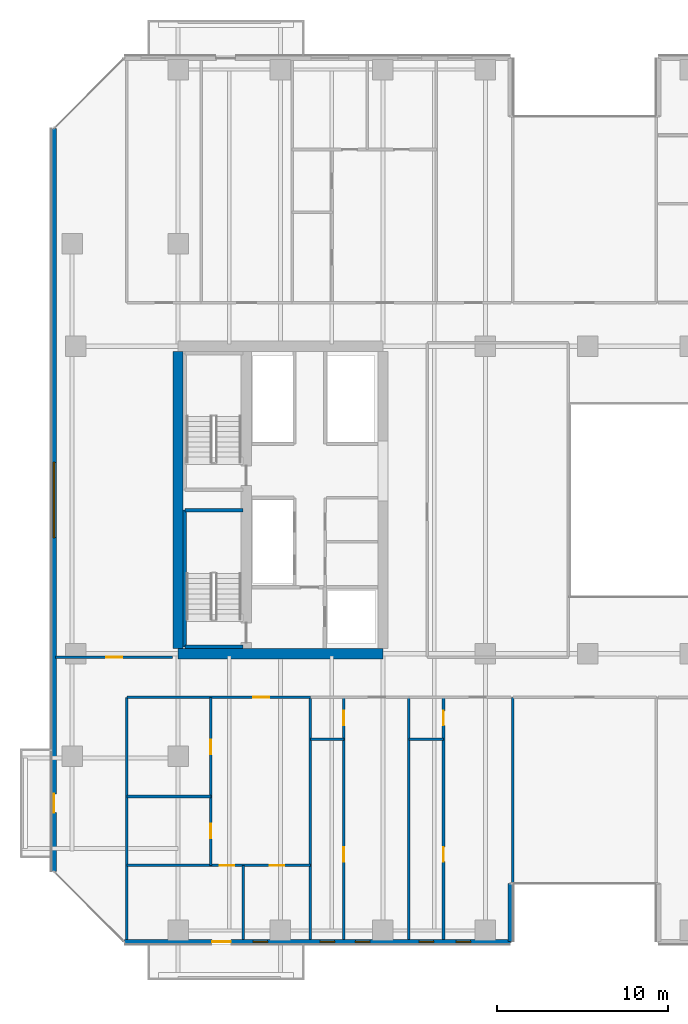
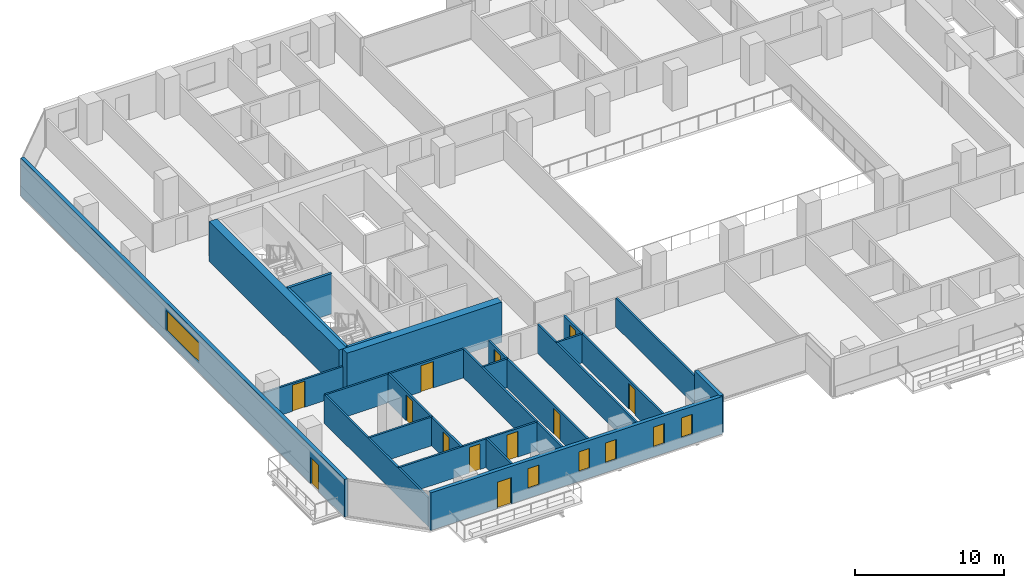
# One storey, part 17 of 33: 22 walls, 12 doors, 6 windows, 18 openings.
"""IFC4 building model written with IfcOpenShell, lengths in metres."""

from ifc_helpers import new_model, si_unit, direction, frame, frame_2d, origin, place, context, subcontext, project, spatial, rectangle, extrude, material, layer, layer_set, type_object, element, fill, save


model = new_model("IFC4")

# Units and contexts
model_context = context("Model", 3, precision=1e-05, world=origin(), true_north=direction((0.0, 1.0)))
body_context = subcontext(model_context, "Body", "Model", "MODEL_VIEW")
ifc_project = project(units=[si_unit("LENGTHUNIT", "METRE"), si_unit("AREAUNIT", "SQUARE_METRE"), si_unit("VOLUMEUNIT", "CUBIC_METRE"), si_unit("PLANEANGLEUNIT", "RADIAN"), si_unit("MASSUNIT", "GRAM", prefix="KILO")], contexts=[model_context])

# Site, building, storey
site_placement = place(None, origin())
site = spatial("IfcSite", under=ifc_project, at=site_placement, CompositionType="ELEMENT")
building_placement = place(site_placement, origin())
building = spatial("IfcBuilding", under=site, at=building_placement, Name="Tanjung Sevakor Pilgrim Tower", CompositionType="ELEMENT")
storey_placement = place(building_placement, frame((0.0, 0.0, 38.93994140625)))
storey = spatial("IfcBuildingStorey", under=building, at=storey_placement, Name="L10", CompositionType="ELEMENT", Elevation=38.93994140625)

# Walls
ifc_material_1 = material(Name="Concrete C60/75", Category="concrete")
ifc_layer_1 = layer(ifc_material_1, 0.60009765625)
ifc_layer_set_1 = layer_set([ifc_layer_1], Name="WALL-CW-600")
wall_type_1 = type_object("IfcWallType", Name="WALL-CW-600", PredefinedType="SHEAR", material=ifc_layer_set_1)
wall_1_placement = place(storey_placement, frame((24.0, 24.60009765625, 0.0), z_axis=(0.0, 0.0, 1.0), x_axis=(1.0, 0.0, 0.0)))
element("IfcWall", 1, at=wall_1_placement, inside=storey, type_object=wall_type_1, Name="L10 W Core South Shear Wall", PredefinedType="SHEAR", context=body_context, shape_type="SweptSolid", body=[
    extrude(rectangle(XDim=12.0, YDim=0.60009765625, at=frame_2d((6.0, 0.0))), origin(), (0.0, 0.0, 1.0), 3.300048828125),
])
wall_2_placement = place(storey_placement, frame((24.0, 24.89990234375, 0.0), z_axis=(0.0, 0.0, 1.0), x_axis=(0.0, 1.0, 0.0)))
element("IfcWall", 2, at=wall_2_placement, inside=storey, type_object=wall_type_1, Name="L10 W Core Outer Shear Wall", PredefinedType="SHEAR", context=body_context, shape_type="SweptSolid", body=[
    extrude(rectangle(XDim=17.400146484375, YDim=0.60009765625, at=frame_2d((8.7001953125, 0.0))), origin(), (0.0, 0.0, 1.0), 3.300048828125),
])

# Wall, opening, door
ifc_material_2 = material(Name="Concrete C40/50", Category="concrete")
ifc_layer_2 = layer(ifc_material_2, 0.14990234375)
ifc_layer_set_2 = layer_set([ifc_layer_2], Name="WT-COMP-150")
wall_type_2 = type_object("IfcWallType", Name="WT-COMP-150", PredefinedType="SOLIDWALL", material=ifc_layer_set_2)
wall_3_placement = place(storey_placement, frame((16.840087890625, 24.39990234375, 0.0), z_axis=(0.0, 0.0, 1.0), x_axis=(1.0, 0.0, 0.0)))
wall_3 = element("IfcWall", 3, at=wall_3_placement, inside=storey, type_object=wall_type_2, Name="L10 Partition IW-L10-031", PredefinedType="SOLIDWALL", context=body_context, shape_type="SweptSolid", body=[
    extrude(rectangle(XDim=6.83984375, YDim=0.14990234375, at=frame_2d((3.419921875, 0.0))), origin(), (0.0, 0.0, 1.0), 2.295166015625),
])
opening_1_placement = place(wall_3_placement, frame((2.945068359375, 0.0, 0.0)))
opening_1 = element("IfcOpeningElement", 4, at=opening_1_placement, cuts=wall_3, Name="Opening ID-FD2", PredefinedType="OPENING", context=body_context, shape_type="SweptSolid", body=[
    extrude(rectangle(XDim=0.949951171875, YDim=2.14990234375, at=frame_2d((0.47509765625, 1.074951171875))), frame((0.0, 0.0849609375, 0.0), z_axis=(0.0, -1.0, 0.0), x_axis=(1.0, 0.0, 0.0)), (0.0, 0.0, 1.0), 0.169921875),
])
ifc_material_3 = material(Name="Fire-Rated Timber", Category="wood")
door_type_1 = type_object("IfcDoorType", Name="DT-FIRE-950", OperationType="NOTDEFINED", PredefinedType="DOOR", material=ifc_material_3)
door_1_placement = place(opening_1_placement, origin())
door_1 = element("IfcDoor", 5, at=door_1_placement, inside=storey, type_object=door_type_1, Name="Study Room Entrance", OperationType="SINGLE_SWING_LEFT", OverallHeight=2.14990234375, OverallWidth=0.949951171875, PredefinedType="DOOR", context=body_context, shape_type="SweptSolid", body=[
    extrude(rectangle(XDim=0.949951171875, YDim=2.14990234375, at=frame_2d((0.47509765625, 1.074951171875))), frame((0.0, 0.02490234375, 0.0), z_axis=(0.0, -1.0, 0.0), x_axis=(1.0, 0.0, 0.0)), (0.0, 0.0, 1.0), 0.050048828125),
])
fill(opening_1, door_1)

# Walls
for number, where, z_axis, x_axis, name in (
    (6, (43.60009765625, 7.8798828125, 0.0), (0.0, 0.0, 1.0), (0.0, 1.0, 0.0), "L10 Partition IW-L10-039"),
    (7, (21.0, 7.8798828125, 0.0), (0.0, 0.0, 1.0), (0.0, 1.0, 0.0), "L10 Partition IW-L10-044"),
    (8, (31.751220703125, 7.8798828125, 0.0), (0.0, 0.0, 1.0), (0.0, 1.0, 0.0), "L10 Partition IW-L10-045"),
):
    element("IfcWall", number, at=place(storey_placement, frame(where, z_axis=z_axis, x_axis=x_axis)), inside=storey, type_object=wall_type_2, Name=name, PredefinedType="SOLIDWALL", context=body_context, shape_type="SweptSolid", body=[
        extrude(rectangle(XDim=14.170166015625, YDim=0.14990234375, at=frame_2d((7.0849609375, 0.0))), origin(), (0.0, 0.0, 1.0), 2.35009765625),
    ])

# Wall, opening, door
wall_4_placement = place(storey_placement, frame((21.0, 22.050048828125, 0.0), z_axis=(0.0, 0.0, 1.0), x_axis=(1.0, 0.0, 0.0)))
wall_4 = element("IfcWall", 9, at=wall_4_placement, inside=storey, type_object=wall_type_2, Name="L10 Partition IW-L10-050", PredefinedType="SOLIDWALL", context=body_context, shape_type="SweptSolid", body=[
    extrude(rectangle(XDim=10.751220703125, YDim=0.14990234375, at=frame_2d((5.37548828125, 0.0))), origin(), (0.0, 0.0, 1.0), 2.35009765625),
])
opening_2_placement = place(wall_4_placement, frame((7.400634765625, 0.0, 0.0)))
opening_2 = element("IfcOpeningElement", 10, at=opening_2_placement, cuts=wall_4, Name="Opening ID-FD2", PredefinedType="OPENING", context=body_context, shape_type="SweptSolid", body=[
    extrude(rectangle(XDim=0.949951171875, YDim=2.14990234375, at=frame_2d((0.47509765625, 1.074951171875))), frame((0.0, 0.0849609375, 0.0), z_axis=(0.0, -1.0, 0.0), x_axis=(1.0, 0.0, 0.0)), (0.0, 0.0, 1.0), 0.169921875),
])
door_2_placement = place(opening_2_placement, origin())
door_2 = element("IfcDoor", 11, at=door_2_placement, inside=storey, type_object=door_type_1, Name="Suite Entrance", OperationType="SINGLE_SWING_RIGHT", OverallHeight=2.14990234375, OverallWidth=0.949951171875, PredefinedType="DOOR", context=body_context, shape_type="SweptSolid", body=[
    extrude(rectangle(XDim=0.949951171875, YDim=2.14990234375, at=frame_2d((0.47509765625, 1.074951171875))), frame((0.0, 0.02490234375, 0.0), z_axis=(0.0, -1.0, 0.0), x_axis=(1.0, 0.0, 0.0)), (0.0, 0.0, 1.0), 0.050048828125),
])
fill(opening_2, door_2)

# Wall
wall_5_placement = place(storey_placement, frame((37.5126953125, 7.8798828125, 0.0), z_axis=(0.0, 0.0, 1.0), x_axis=(0.0, 1.0, 0.0)))
element("IfcWall", 12, at=wall_5_placement, inside=storey, type_object=wall_type_2, Name="L10 Partition IW-L10-051", PredefinedType="SOLIDWALL", context=body_context, shape_type="SweptSolid", body=[
    extrude(rectangle(XDim=14.170166015625, YDim=0.14990234375, at=frame_2d((7.0849609375, 0.0))), origin(), (0.0, 0.0, 1.0), 2.35009765625),
])

# Wall, openings, door, windows
ifc_material_4 = material(Name="Precast concrete C45/55", Category="concrete")
ifc_layer_3 = layer(ifc_material_4, 0.280029296875)
ifc_layer_set_3 = layer_set([ifc_layer_3], Name="WT-EW-STN2")
wall_type_3 = type_object("IfcWallType", Name="WT-EW-STN2", PredefinedType="SOLIDWALL", material=ifc_layer_set_3)
wall_6_placement = place(storey_placement, frame((20.85791015625, 7.739990234375, 0.0), z_axis=(0.0, 0.0, 1.0), x_axis=(1.0, 0.0, 0.0)))
wall_6 = element("IfcWall", 13, at=wall_6_placement, inside=storey, type_object=wall_type_3, Name="L10 MAIN Exterior Wall 1", PredefinedType="SOLIDWALL", context=body_context, shape_type="SweptSolid", body=[
    extrude(rectangle(XDim=22.60205078125, YDim=0.280029296875, at=frame_2d((11.301025390625, 0.0))), origin(), (0.0, 0.0, 1.0), 3.080078125),
])
opening_3_placement = place(wall_6_placement, frame((5.14208984375, 0.0, 0.0)))
opening_3 = element("IfcOpeningElement", 14, at=opening_3_placement, cuts=wall_6, Name="Opening ED-BAL-1100", PredefinedType="OPENING", context=body_context, shape_type="SweptSolid", body=[
    extrude(rectangle(XDim=1.10009765625, YDim=2.14990234375, at=frame_2d((0.550048828125, 1.074951171875))), frame((0.0, 0.14990234375, 0.0), z_axis=(0.0, -1.0, 0.0), x_axis=(1.0, 0.0, 0.0)), (0.0, 0.0, 1.0), 0.300048828125),
])
opening_4_placement = place(wall_6_placement, frame((7.53271484375, 0.0, 0.780029296875)))
opening_4 = element("IfcOpeningElement", 15, at=opening_4_placement, cuts=wall_6, Name="Opening WN-SLM", PredefinedType="OPENING", context=body_context, shape_type="SweptSolid", body=[
    extrude(rectangle(XDim=0.85009765625, YDim=1.64990234375, at=frame_2d((0.425048828125, 0.824951171875))), frame((0.0, 0.14990234375, 0.0), z_axis=(0.0, -1.0, 0.0), x_axis=(1.0, 0.0, 0.0)), (0.0, 0.0, 1.0), 0.300048828125),
])
opening_5_placement = place(wall_6_placement, frame((11.457763671875, 0.0, 0.780029296875)))
opening_5 = element("IfcOpeningElement", 16, at=opening_5_placement, cuts=wall_6, Name="Opening WN-SLM", PredefinedType="OPENING", context=body_context, shape_type="SweptSolid", body=[
    extrude(rectangle(XDim=0.85009765625, YDim=1.64990234375, at=frame_2d((0.425048828125, 0.824951171875))), frame((0.0, 0.14990234375, 0.0), z_axis=(0.0, -1.0, 0.0), x_axis=(1.0, 0.0, 0.0)), (0.0, 0.0, 1.0), 0.300048828125),
])
opening_6_placement = place(wall_6_placement, frame((13.5185546875, 0.0, 0.780029296875)))
opening_6 = element("IfcOpeningElement", 17, at=opening_6_placement, cuts=wall_6, Name="Opening WN-SLM", PredefinedType="OPENING", context=body_context, shape_type="SweptSolid", body=[
    extrude(rectangle(XDim=0.85009765625, YDim=1.64990234375, at=frame_2d((0.425048828125, 0.824951171875))), frame((0.0, 0.14990234375, 0.0), z_axis=(0.0, -1.0, 0.0), x_axis=(1.0, 0.0, 0.0)), (0.0, 0.0, 1.0), 0.300048828125),
])
opening_7_placement = place(wall_6_placement, frame((17.254150390625, 0.0, 0.780029296875)))
opening_7 = element("IfcOpeningElement", 18, at=opening_7_placement, cuts=wall_6, Name="Opening WN-SLM", PredefinedType="OPENING", context=body_context, shape_type="SweptSolid", body=[
    extrude(rectangle(XDim=0.85009765625, YDim=1.64990234375, at=frame_2d((0.425048828125, 0.824951171875))), frame((0.0, 0.14990234375, 0.0), z_axis=(0.0, -1.0, 0.0), x_axis=(1.0, 0.0, 0.0)), (0.0, 0.0, 1.0), 0.300048828125),
])
opening_8_placement = place(wall_6_placement, frame((19.417724609375, 0.0, 0.780029296875)))
opening_8 = element("IfcOpeningElement", 19, at=opening_8_placement, cuts=wall_6, Name="Opening WN-SLM", PredefinedType="OPENING", context=body_context, shape_type="SweptSolid", body=[
    extrude(rectangle(XDim=0.85009765625, YDim=1.64990234375, at=frame_2d((0.425048828125, 0.824951171875))), frame((0.0, 0.14990234375, 0.0), z_axis=(0.0, -1.0, 0.0), x_axis=(1.0, 0.0, 0.0)), (0.0, 0.0, 1.0), 0.300048828125),
])
ifc_material_5 = material(Name="Anodised Aluminium and Laminated Glass", Category="aluminium")
door_type_2 = type_object("IfcDoorType", Name="DTYP-ED-BAL-1100", OperationType="NOTDEFINED", PredefinedType="DOOR", material=ifc_material_5)
door_3_placement = place(opening_3_placement, frame((1.10009765625, 0.0, 0.0), z_axis=(0.0, 0.0, 1.0), x_axis=(-1.0, 0.0, 0.0)))
door_3 = element("IfcDoor", 20, at=door_3_placement, inside=storey, type_object=door_type_2, Name="L10 Balcony Door MAIN-S1", OperationType="SINGLE_SWING_RIGHT", OverallHeight=2.14990234375, OverallWidth=1.10009765625, PredefinedType="DOOR", context=body_context, shape_type="SweptSolid", body=[
    extrude(rectangle(XDim=1.10009765625, YDim=2.14990234375, at=frame_2d((0.550048828125, 1.074951171875))), frame((0.0, 0.02490234375, 0.0), z_axis=(0.0, -1.0, 0.0), x_axis=(1.0, 0.0, 0.0)), (0.0, 0.0, 1.0), 0.050048828125),
])
fill(opening_3, door_3)
ifc_material_6 = material(Name="Thermally Broken Aluminium and Low-E Glass", Category="aluminium")
window_type_1 = type_object("IfcWindowType", Name="WTYP-WN-SLM", PartitioningType="SINGLE_PANEL", PredefinedType="WINDOW", material=ifc_material_6)
window_1_placement = place(opening_4_placement, origin())
window_1 = element("IfcWindow", 21, at=window_1_placement, inside=storey, type_object=window_type_1, Name="L10 Facade Window 01", OverallHeight=1.64990234375, OverallWidth=0.85009765625, PartitioningType="SINGLE_PANEL", PredefinedType="WINDOW", context=body_context, shape_type="SweptSolid", body=[
    extrude(rectangle(XDim=0.85009765625, YDim=1.64990234375, at=frame_2d((0.425048828125, 0.824951171875))), frame((0.0, 0.030029296875, 0.0), z_axis=(0.0, -1.0, 0.0), x_axis=(1.0, 0.0, 0.0)), (0.0, 0.0, 1.0), 0.06005859375),
])
fill(opening_4, window_1)
window_2_placement = place(opening_5_placement, origin())
window_2 = element("IfcWindow", 22, at=window_2_placement, inside=storey, type_object=window_type_1, Name="L10 Facade Window 02", OverallHeight=1.64990234375, OverallWidth=0.85009765625, PartitioningType="SINGLE_PANEL", PredefinedType="WINDOW", context=body_context, shape_type="SweptSolid", body=[
    extrude(rectangle(XDim=0.85009765625, YDim=1.64990234375, at=frame_2d((0.425048828125, 0.824951171875))), frame((0.0, 0.030029296875, 0.0), z_axis=(0.0, -1.0, 0.0), x_axis=(1.0, 0.0, 0.0)), (0.0, 0.0, 1.0), 0.06005859375),
])
fill(opening_5, window_2)
window_3_placement = place(opening_6_placement, origin())
window_3 = element("IfcWindow", 23, at=window_3_placement, inside=storey, type_object=window_type_1, Name="L10 Facade Window 03", OverallHeight=1.64990234375, OverallWidth=0.85009765625, PartitioningType="SINGLE_PANEL", PredefinedType="WINDOW", context=body_context, shape_type="SweptSolid", body=[
    extrude(rectangle(XDim=0.85009765625, YDim=1.64990234375, at=frame_2d((0.425048828125, 0.824951171875))), frame((0.0, 0.030029296875, 0.0), z_axis=(0.0, -1.0, 0.0), x_axis=(1.0, 0.0, 0.0)), (0.0, 0.0, 1.0), 0.06005859375),
])
fill(opening_6, window_3)
window_4_placement = place(opening_7_placement, origin())
window_4 = element("IfcWindow", 24, at=window_4_placement, inside=storey, type_object=window_type_1, Name="L10 Facade Window 04", OverallHeight=1.64990234375, OverallWidth=0.85009765625, PartitioningType="SINGLE_PANEL", PredefinedType="WINDOW", context=body_context, shape_type="SweptSolid", body=[
    extrude(rectangle(XDim=0.85009765625, YDim=1.64990234375, at=frame_2d((0.425048828125, 0.824951171875))), frame((0.0, 0.030029296875, 0.0), z_axis=(0.0, -1.0, 0.0), x_axis=(1.0, 0.0, 0.0)), (0.0, 0.0, 1.0), 0.06005859375),
])
fill(opening_7, window_4)
window_5_placement = place(opening_8_placement, origin())
window_5 = element("IfcWindow", 25, at=window_5_placement, inside=storey, type_object=window_type_1, Name="L10 Facade Window 05", OverallHeight=1.64990234375, OverallWidth=0.85009765625, PartitioningType="SINGLE_PANEL", PredefinedType="WINDOW", context=body_context, shape_type="SweptSolid", body=[
    extrude(rectangle(XDim=0.85009765625, YDim=1.64990234375, at=frame_2d((0.425048828125, 0.824951171875))), frame((0.0, 0.030029296875, 0.0), z_axis=(0.0, -1.0, 0.0), x_axis=(1.0, 0.0, 0.0)), (0.0, 0.0, 1.0), 0.06005859375),
])
fill(opening_8, window_5)

# Wall
wall_7_placement = place(storey_placement, frame((43.4599609375, 7.739990234375, 0.0), z_axis=(0.0, 0.0, 1.0), x_axis=(0.0, 1.0, 0.0)))
element("IfcWall", 26, at=wall_7_placement, inside=storey, type_object=wall_type_3, Name="L10 MAIN Exterior Wall 2", PredefinedType="SOLIDWALL", context=body_context, shape_type="SweptSolid", body=[
    extrude(rectangle(XDim=3.39990234375, YDim=0.280029296875, at=frame_2d((1.699951171875, 0.0))), origin(), (0.0, 0.0, 1.0), 3.080078125),
])

# Wall, openings, door, window
wall_8_placement = place(storey_placement, frame((16.739990234375, 55.342041015625, 0.0), z_axis=(0.0, 0.0, 1.0), x_axis=(0.0, -1.0, 0.0)))
wall_8 = element("IfcWall", 27, at=wall_8_placement, inside=storey, type_object=wall_type_3, Name="L10 MAIN Exterior Wall 15", PredefinedType="SOLIDWALL", context=body_context, shape_type="SweptSolid", body=[
    extrude(rectangle(XDim=43.484130859375, YDim=0.280029296875, at=frame_2d((21.7421875, 0.0))), origin(), (0.0, 0.0, 1.0), 3.080078125),
])
opening_9_placement = place(wall_8_placement, frame((38.94189453125, 0.0, 0.0)))
opening_9 = element("IfcOpeningElement", 28, at=opening_9_placement, cuts=wall_8, Name="Opening ED-BAL-1100", PredefinedType="OPENING", context=body_context, shape_type="SweptSolid", body=[
    extrude(rectangle(XDim=1.10009765625, YDim=2.14990234375, at=frame_2d((0.550048828125, 1.074951171875))), frame((0.0, 0.14990234375, 0.0), z_axis=(0.0, -1.0, 0.0), x_axis=(1.0, 0.0, 0.0)), (0.0, 0.0, 1.0), 0.300048828125),
])
opening_10_placement = place(wall_8_placement, frame((19.5419921875, 0.0, 0.780029296875)))
opening_10 = element("IfcOpeningElement", 29, at=opening_10_placement, cuts=wall_8, Name="Opening WN-ENDW-1660", PredefinedType="OPENING", context=body_context, shape_type="SweptSolid", body=[
    extrude(rectangle(XDim=4.39990234375, YDim=1.659912109375, at=frame_2d((2.199951171875, 0.830078125))), frame((0.0, 0.14990234375, 0.0), z_axis=(0.0, -1.0, 0.0), x_axis=(1.0, 0.0, 0.0)), (0.0, 0.0, 1.0), 0.300048828125),
])
door_4_placement = place(opening_9_placement, frame((1.10009765625, 0.0, 0.0), z_axis=(0.0, 0.0, 1.0), x_axis=(-1.0, 0.0, 0.0)))
door_4 = element("IfcDoor", 30, at=door_4_placement, inside=storey, type_object=door_type_2, Name="L10 West Loggia Door MAIN-W1", OperationType="SINGLE_SWING_LEFT", OverallHeight=2.14990234375, OverallWidth=1.10009765625, PredefinedType="DOOR", context=body_context, shape_type="SweptSolid", body=[
    extrude(rectangle(XDim=1.10009765625, YDim=2.14990234375, at=frame_2d((0.550048828125, 1.074951171875))), frame((0.0, 0.02490234375, 0.0), z_axis=(0.0, -1.0, 0.0), x_axis=(1.0, 0.0, 0.0)), (0.0, 0.0, 1.0), 0.050048828125),
])
fill(opening_9, door_4)
ifc_material_7 = material(Name="Thermally Broken Aluminium and Low-E Glass", Category="aluminium")
window_type_2 = type_object("IfcWindowType", Name="WTYP-WN-ENDW-1660", PartitioningType="DOUBLE_PANEL_VERTICAL", PredefinedType="WINDOW", material=ifc_material_7)
window_6_placement = place(opening_10_placement, origin())
window_6 = element("IfcWindow", 31, at=window_6_placement, inside=storey, type_object=window_type_2, Name="L10 Facade Window 01", OverallHeight=1.659912109375, OverallWidth=4.39990234375, PartitioningType="SINGLE_PANEL", PredefinedType="WINDOW", context=body_context, shape_type="SweptSolid", body=[
    extrude(rectangle(XDim=4.39990234375, YDim=1.659912109375, at=frame_2d((2.199951171875, 0.830078125))), frame((0.0, 0.030029296875, 0.0), z_axis=(0.0, -1.0, 0.0), x_axis=(1.0, 0.0, 0.0)), (0.0, 0.0, 1.0), 0.06005859375),
])
fill(opening_10, window_6)

# Walls
ifc_material_8 = material(Name="Concrete C40/50", Category="concrete")
ifc_layer_4 = layer(ifc_material_8, 0.199951171875)
ifc_layer_set_4 = layer_set([ifc_layer_4], Name="WT-FIRE-200")
wall_type_4 = type_object("IfcWallType", Name="WT-FIRE-200", PredefinedType="SOLIDWALL", material=ifc_layer_set_4)
for number, where, z_axis, x_axis, name in (
    (32, (24.39990234375, 25.0, 0.0), (0.0, 0.0, 1.0), (1.0, 0.0, 0.0), "L10 TS-W1 Shaft Wall 1"),
    (33, (27.800048828125, 33.0, 0.0), (0.0, 0.0, 1.0), (-1.0, 0.0, 0.0), "L10 TS-W1 Shaft Wall 2"),
):
    element("IfcWall", number, at=place(storey_placement, frame(where, z_axis=z_axis, x_axis=x_axis)), inside=storey, type_object=wall_type_4, Name=name, PredefinedType="SOLIDWALL", context=body_context, shape_type="SweptSolid", body=[
        extrude(rectangle(XDim=3.400146484375, YDim=0.199951171875, at=frame_2d((1.7001953125, 0.0))), origin(), (0.0, 0.0, 1.0), 3.300048828125),
    ])
wall_9_placement = place(storey_placement, frame((24.39990234375, 33.0, 0.0), z_axis=(0.0, 0.0, 1.0), x_axis=(0.0, -1.0, 0.0)))
element("IfcWall", 34, at=wall_9_placement, inside=storey, type_object=wall_type_4, Name="L10 TS-W1 Shaft Wall 3", PredefinedType="SOLIDWALL", context=body_context, shape_type="SweptSolid", body=[
    extrude(rectangle(XDim=8.0, YDim=0.199951171875, at=frame_2d((4.0, 0.0))), origin(), (0.0, 0.0, 1.0), 3.300048828125),
])
ifc_material_9 = material(Name="Gypsum Board Partition", Category="gypsum board")
ifc_layer_5 = layer(ifc_material_9, 0.14990234375)
ifc_layer_set_5 = layer_set([ifc_layer_5], Name="WT-PART-150")
wall_type_5 = type_object("IfcWallType", Name="WT-PART-150", PredefinedType="PARTITIONING", material=ifc_layer_set_5)
wall_10_placement = place(storey_placement, frame((21.0, 16.24169921875, 0.0), z_axis=(0.0, 0.0, 1.0), x_axis=(1.0, 0.0, 0.0)))
element("IfcWall", 35, at=wall_10_placement, inside=storey, type_object=wall_type_5, Name="L10 Partition IW-L10-046", PredefinedType="PARTITIONING", context=body_context, shape_type="SweptSolid", body=[
    extrude(rectangle(XDim=4.919921875, YDim=0.14990234375, at=frame_2d((2.4599609375, 0.0))), origin(), (0.0, 0.0, 1.0), 2.35009765625),
])

# Wall, openings, doors
wall_11_placement = place(storey_placement, frame((25.919921875, 12.20556640625, 0.0), z_axis=(0.0, 0.0, 1.0), x_axis=(0.0, 1.0, 0.0)))
wall_11 = element("IfcWall", 36, at=wall_11_placement, inside=storey, type_object=wall_type_5, Name="L10 Partition IW-L10-047", PredefinedType="PARTITIONING", context=body_context, shape_type="SweptSolid", body=[
    extrude(rectangle(XDim=9.844482421875, YDim=0.14990234375, at=frame_2d((4.92236328125, 0.0))), origin(), (0.0, 0.0, 1.0), 2.35009765625),
])
opening_11_placement = place(wall_11_placement, frame((1.593017578125, 0.0, 0.0)))
opening_11 = element("IfcOpeningElement", 37, at=opening_11_placement, cuts=wall_11, Name="Opening ID-WC1", PredefinedType="OPENING", context=body_context, shape_type="SweptSolid", body=[
    extrude(rectangle(XDim=0.85009765625, YDim=2.10009765625, at=frame_2d((0.425048828125, 1.050048828125))), frame((0.0, 0.0849609375, 0.0), z_axis=(0.0, -1.0, 0.0), x_axis=(1.0, 0.0, 0.0)), (0.0, 0.0, 1.0), 0.169921875),
])
opening_12_placement = place(wall_11_placement, frame((6.515380859375, 0.0, 0.0)))
opening_12 = element("IfcOpeningElement", 38, at=opening_12_placement, cuts=wall_11, Name="Opening ID-WC1", PredefinedType="OPENING", context=body_context, shape_type="SweptSolid", body=[
    extrude(rectangle(XDim=0.85009765625, YDim=2.10009765625, at=frame_2d((0.425048828125, 1.050048828125))), frame((0.0, 0.0849609375, 0.0), z_axis=(0.0, -1.0, 0.0), x_axis=(1.0, 0.0, 0.0)), (0.0, 0.0, 1.0), 0.169921875),
])
ifc_material_10 = material(Name="Moisture-Resistant Timber", Category="wood")
door_type_3 = type_object("IfcDoorType", Name="DT-INT-850", OperationType="NOTDEFINED", PredefinedType="DOOR", material=ifc_material_10)
door_5_placement = place(opening_11_placement, origin())
door_5 = element("IfcDoor", 39, at=door_5_placement, inside=storey, type_object=door_type_3, Name="Suite Bathroom Door", OperationType="SINGLE_SWING_RIGHT", OverallHeight=2.10009765625, OverallWidth=0.85009765625, PredefinedType="DOOR", context=body_context, shape_type="SweptSolid", body=[
    extrude(rectangle(XDim=0.85009765625, YDim=2.10009765625, at=frame_2d((0.425048828125, 1.050048828125))), frame((0.0, 0.02490234375, 0.0), z_axis=(0.0, -1.0, 0.0), x_axis=(1.0, 0.0, 0.0)), (0.0, 0.0, 1.0), 0.050048828125),
])
fill(opening_11, door_5)
door_6_placement = place(opening_12_placement, origin())
door_6 = element("IfcDoor", 40, at=door_6_placement, inside=storey, type_object=door_type_3, Name="Suite Kitchenette Door", OperationType="SINGLE_SWING_LEFT", OverallHeight=2.10009765625, OverallWidth=0.85009765625, PredefinedType="DOOR", context=body_context, shape_type="SweptSolid", body=[
    extrude(rectangle(XDim=0.85009765625, YDim=2.10009765625, at=frame_2d((0.425048828125, 1.050048828125))), frame((0.0, 0.02490234375, 0.0), z_axis=(0.0, -1.0, 0.0), x_axis=(1.0, 0.0, 0.0)), (0.0, 0.0, 1.0), 0.050048828125),
])
fill(opening_12, door_6)

# Wall
wall_12_placement = place(storey_placement, frame((27.820068359375, 7.8798828125, 0.0), z_axis=(0.0, 0.0, 1.0), x_axis=(0.0, 1.0, 0.0)))
element("IfcWall", 41, at=wall_12_placement, inside=storey, type_object=wall_type_5, Name="L10 Partition IW-L10-048", PredefinedType="PARTITIONING", context=body_context, shape_type="SweptSolid", body=[
    extrude(rectangle(XDim=4.32568359375, YDim=0.14990234375, at=frame_2d((2.162841796875, 0.0))), origin(), (0.0, 0.0, 1.0), 2.35009765625),
])

# Wall, openings, doors
wall_13_placement = place(storey_placement, frame((21.0, 12.20556640625, 0.0), z_axis=(0.0, 0.0, 1.0), x_axis=(1.0, 0.0, 0.0)))
wall_13 = element("IfcWall", 42, at=wall_13_placement, inside=storey, type_object=wall_type_5, Name="L10 Partition IW-L10-049", PredefinedType="PARTITIONING", context=body_context, shape_type="SweptSolid", body=[
    extrude(rectangle(XDim=10.751220703125, YDim=0.14990234375, at=frame_2d((5.37548828125, 0.0))), origin(), (0.0, 0.0, 1.0), 2.35009765625),
])
opening_13_placement = place(wall_13_placement, frame((5.445068359375, 0.0, 0.0)))
opening_13 = element("IfcOpeningElement", 43, at=opening_13_placement, cuts=wall_13, Name="Opening ID-WC1", PredefinedType="OPENING", context=body_context, shape_type="SweptSolid", body=[
    extrude(rectangle(XDim=0.85009765625, YDim=2.10009765625, at=frame_2d((0.425048828125, 1.050048828125))), frame((0.0, 0.0849609375, 0.0), z_axis=(0.0, -1.0, 0.0), x_axis=(1.0, 0.0, 0.0)), (0.0, 0.0, 1.0), 0.169921875),
])
opening_14_placement = place(wall_13_placement, frame((8.360595703125, 0.0, 0.0)))
opening_14 = element("IfcOpeningElement", 44, at=opening_14_placement, cuts=wall_13, Name="Opening ID-WC1", PredefinedType="OPENING", context=body_context, shape_type="SweptSolid", body=[
    extrude(rectangle(XDim=0.85009765625, YDim=2.10009765625, at=frame_2d((0.425048828125, 1.050048828125))), frame((0.0, 0.0849609375, 0.0), z_axis=(0.0, -1.0, 0.0), x_axis=(1.0, 0.0, 0.0)), (0.0, 0.0, 1.0), 0.169921875),
])
door_7_placement = place(opening_13_placement, origin())
door_7 = element("IfcDoor", 45, at=door_7_placement, inside=storey, type_object=door_type_3, Name="Suite Bedroom 1 Door", OperationType="SINGLE_SWING_RIGHT", OverallHeight=2.10009765625, OverallWidth=0.85009765625, PredefinedType="DOOR", context=body_context, shape_type="SweptSolid", body=[
    extrude(rectangle(XDim=0.85009765625, YDim=2.10009765625, at=frame_2d((0.425048828125, 1.050048828125))), frame((0.0, 0.02490234375, 0.0), z_axis=(0.0, -1.0, 0.0), x_axis=(1.0, 0.0, 0.0)), (0.0, 0.0, 1.0), 0.050048828125),
])
fill(opening_13, door_7)
door_8_placement = place(opening_14_placement, origin())
door_8 = element("IfcDoor", 46, at=door_8_placement, inside=storey, type_object=door_type_3, Name="Suite Bedroom 2 Door", OperationType="SINGLE_SWING_LEFT", OverallHeight=2.10009765625, OverallWidth=0.85009765625, PredefinedType="DOOR", context=body_context, shape_type="SweptSolid", body=[
    extrude(rectangle(XDim=0.85009765625, YDim=2.10009765625, at=frame_2d((0.425048828125, 1.050048828125))), frame((0.0, 0.02490234375, 0.0), z_axis=(0.0, -1.0, 0.0), x_axis=(1.0, 0.0, 0.0)), (0.0, 0.0, 1.0), 0.050048828125),
])
fill(opening_14, door_8)

# Wall
wall_14_placement = place(storey_placement, frame((31.751220703125, 19.60009765625, 0.0), z_axis=(0.0, 0.0, 1.0), x_axis=(1.0, 0.0, 0.0)))
element("IfcWall", 47, at=wall_14_placement, inside=storey, type_object=wall_type_5, Name="L10 Partition IW-L10-052", PredefinedType="PARTITIONING", context=body_context, shape_type="SweptSolid", body=[
    extrude(rectangle(XDim=1.958984375, YDim=0.14990234375, at=frame_2d((0.9794921875, 0.0))), origin(), (0.0, 0.0, 1.0), 2.35009765625),
])

# Wall, openings, doors
wall_15_placement = place(storey_placement, frame((33.710205078125, 7.8798828125, 0.0), z_axis=(0.0, 0.0, 1.0), x_axis=(0.0, 1.0, 0.0)))
wall_15 = element("IfcWall", 48, at=wall_15_placement, inside=storey, type_object=wall_type_5, Name="L10 Partition IW-L10-053", PredefinedType="PARTITIONING", context=body_context, shape_type="SweptSolid", body=[
    extrude(rectangle(XDim=14.170166015625, YDim=0.14990234375, at=frame_2d((7.0849609375, 0.0))), origin(), (0.0, 0.0, 1.0), 2.35009765625),
])
opening_15_placement = place(wall_15_placement, frame((4.548095703125, 0.0, 0.0)))
opening_15 = element("IfcOpeningElement", 49, at=opening_15_placement, cuts=wall_15, Name="Opening ID-WC1", PredefinedType="OPENING", context=body_context, shape_type="SweptSolid", body=[
    extrude(rectangle(XDim=0.85009765625, YDim=2.10009765625, at=frame_2d((0.425048828125, 1.050048828125))), frame((0.0, 0.0849609375, 0.0), z_axis=(0.0, -1.0, 0.0), x_axis=(1.0, 0.0, 0.0)), (0.0, 0.0, 1.0), 0.169921875),
])
opening_16_placement = place(wall_15_placement, frame((12.52001953125, 0.0, 0.0)))
opening_16 = element("IfcOpeningElement", 50, at=opening_16_placement, cuts=wall_15, Name="Opening ID-WC1", PredefinedType="OPENING", context=body_context, shape_type="SweptSolid", body=[
    extrude(rectangle(XDim=0.85009765625, YDim=2.10009765625, at=frame_2d((0.425048828125, 1.050048828125))), frame((0.0, 0.0849609375, 0.0), z_axis=(0.0, -1.0, 0.0), x_axis=(1.0, 0.0, 0.0)), (0.0, 0.0, 1.0), 0.169921875),
])
door_9_placement = place(opening_15_placement, origin())
door_9 = element("IfcDoor", 51, at=door_9_placement, inside=storey, type_object=door_type_3, Name="Study Nook Door", OperationType="SINGLE_SWING_LEFT", OverallHeight=2.10009765625, OverallWidth=0.85009765625, PredefinedType="DOOR", context=body_context, shape_type="SweptSolid", body=[
    extrude(rectangle(XDim=0.85009765625, YDim=2.10009765625, at=frame_2d((0.425048828125, 1.050048828125))), frame((0.0, 0.02490234375, 0.0), z_axis=(0.0, -1.0, 0.0), x_axis=(1.0, 0.0, 0.0)), (0.0, 0.0, 1.0), 0.050048828125),
])
fill(opening_15, door_9)
door_10_placement = place(opening_16_placement, origin())
door_10 = element("IfcDoor", 52, at=door_10_placement, inside=storey, type_object=door_type_3, Name="Bathroom Door", OperationType="SINGLE_SWING_RIGHT", OverallHeight=2.10009765625, OverallWidth=0.85009765625, PredefinedType="DOOR", context=body_context, shape_type="SweptSolid", body=[
    extrude(rectangle(XDim=0.85009765625, YDim=2.10009765625, at=frame_2d((0.425048828125, 1.050048828125))), frame((0.0, 0.02490234375, 0.0), z_axis=(0.0, -1.0, 0.0), x_axis=(1.0, 0.0, 0.0)), (0.0, 0.0, 1.0), 0.050048828125),
])
fill(opening_16, door_10)

# Wall
wall_16_placement = place(storey_placement, frame((37.5126953125, 19.60009765625, 0.0), z_axis=(0.0, 0.0, 1.0), x_axis=(1.0, 0.0, 0.0)))
element("IfcWall", 53, at=wall_16_placement, inside=storey, type_object=wall_type_5, Name="L10 Partition IW-L10-055", PredefinedType="PARTITIONING", context=body_context, shape_type="SweptSolid", body=[
    extrude(rectangle(XDim=2.02880859375, YDim=0.14990234375, at=frame_2d((1.014404296875, 0.0))), origin(), (0.0, 0.0, 1.0), 2.35009765625),
])

# Wall, openings, doors
wall_17_placement = place(storey_placement, frame((39.54150390625, 7.8798828125, 0.0), z_axis=(0.0, 0.0, 1.0), x_axis=(0.0, 1.0, 0.0)))
wall_17 = element("IfcWall", 54, at=wall_17_placement, inside=storey, type_object=wall_type_5, Name="L10 Partition IW-L10-056", PredefinedType="PARTITIONING", context=body_context, shape_type="SweptSolid", body=[
    extrude(rectangle(XDim=14.170166015625, YDim=0.14990234375, at=frame_2d((7.0849609375, 0.0))), origin(), (0.0, 0.0, 1.0), 2.35009765625),
])
opening_17_placement = place(wall_17_placement, frame((4.548095703125, 0.0, 0.0)))
opening_17 = element("IfcOpeningElement", 55, at=opening_17_placement, cuts=wall_17, Name="Opening ID-WC1", PredefinedType="OPENING", context=body_context, shape_type="SweptSolid", body=[
    extrude(rectangle(XDim=0.85009765625, YDim=2.10009765625, at=frame_2d((0.425048828125, 1.050048828125))), frame((0.0, 0.0849609375, 0.0), z_axis=(0.0, -1.0, 0.0), x_axis=(1.0, 0.0, 0.0)), (0.0, 0.0, 1.0), 0.169921875),
])
opening_18_placement = place(wall_17_placement, frame((12.52001953125, 0.0, 0.0)))
opening_18 = element("IfcOpeningElement", 56, at=opening_18_placement, cuts=wall_17, Name="Opening ID-WC1", PredefinedType="OPENING", context=body_context, shape_type="SweptSolid", body=[
    extrude(rectangle(XDim=0.85009765625, YDim=2.10009765625, at=frame_2d((0.425048828125, 1.050048828125))), frame((0.0, 0.0849609375, 0.0), z_axis=(0.0, -1.0, 0.0), x_axis=(1.0, 0.0, 0.0)), (0.0, 0.0, 1.0), 0.169921875),
])
door_11_placement = place(opening_17_placement, origin())
door_11 = element("IfcDoor", 57, at=door_11_placement, inside=storey, type_object=door_type_3, Name="Study Nook Door", OperationType="SINGLE_SWING_RIGHT", OverallHeight=2.10009765625, OverallWidth=0.85009765625, PredefinedType="DOOR", context=body_context, shape_type="SweptSolid", body=[
    extrude(rectangle(XDim=0.85009765625, YDim=2.10009765625, at=frame_2d((0.425048828125, 1.050048828125))), frame((0.0, 0.02490234375, 0.0), z_axis=(0.0, -1.0, 0.0), x_axis=(1.0, 0.0, 0.0)), (0.0, 0.0, 1.0), 0.050048828125),
])
fill(opening_17, door_11)
door_12_placement = place(opening_18_placement, origin())
door_12 = element("IfcDoor", 58, at=door_12_placement, inside=storey, type_object=door_type_3, Name="Bathroom Door", OperationType="SINGLE_SWING_LEFT", OverallHeight=2.10009765625, OverallWidth=0.85009765625, PredefinedType="DOOR", context=body_context, shape_type="SweptSolid", body=[
    extrude(rectangle(XDim=0.85009765625, YDim=2.10009765625, at=frame_2d((0.425048828125, 1.050048828125))), frame((0.0, 0.02490234375, 0.0), z_axis=(0.0, -1.0, 0.0), x_axis=(1.0, 0.0, 0.0)), (0.0, 0.0, 1.0), 0.050048828125),
])
fill(opening_18, door_12)

save(model, "model.ifc")
